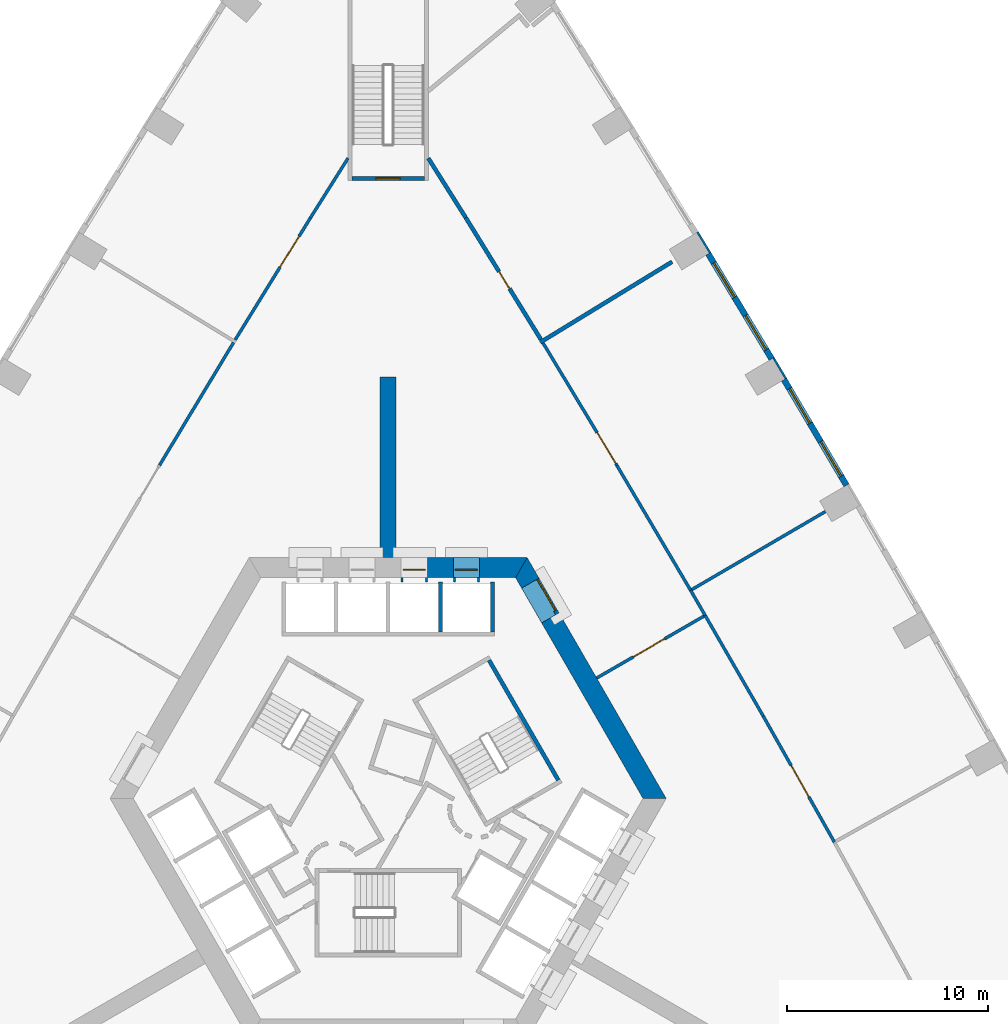
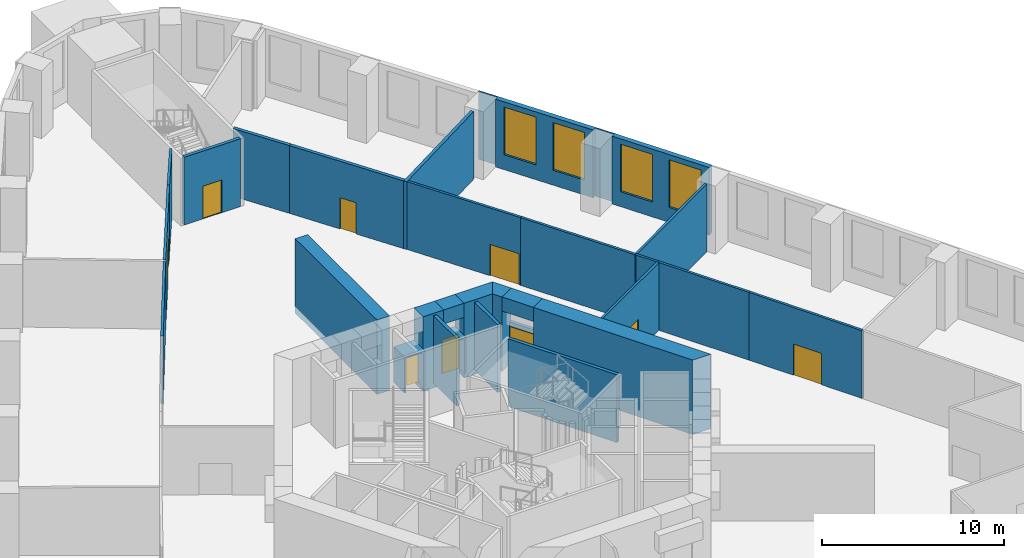
# One storey, part 6 of 16: 31 walls, 9 doors, 4 windows, 13 openings.
"""IFC4 building model written with IfcOpenShell, lengths in metres."""

from ifc_helpers import new_model, si_unit, direction, frame, frame_2d, origin, place, context, subcontext, project, spatial, polyline, rectangle, outline, extrude, material, layer, layer_set, type_object, element, fill, save


model = new_model("IFC4")

# Units and contexts
model_context = context("Model", 3, precision=1e-05, world=origin(), true_north=direction((0.0, 1.0)))
body_context = subcontext(model_context, "Body", "Model", "MODEL_VIEW")
ifc_project = project(units=[si_unit("LENGTHUNIT", "METRE"), si_unit("AREAUNIT", "SQUARE_METRE"), si_unit("VOLUMEUNIT", "CUBIC_METRE"), si_unit("PLANEANGLEUNIT", "RADIAN"), si_unit("MASSUNIT", "GRAM", prefix="KILO")], contexts=[model_context])

# Site, building, storey
site_placement = place(None, origin())
site = spatial("IfcSite", under=ifc_project, at=site_placement, CompositionType="ELEMENT")
building_placement = place(site_placement, origin())
building = spatial("IfcBuilding", under=site, at=building_placement, Name="Entoto Arch Interchange Tower", CompositionType="ELEMENT")
storey_placement = place(building_placement, frame((0.0, 0.0, 15.0)))
storey = spatial("IfcBuildingStorey", under=building, at=storey_placement, Name="L02", CompositionType="ELEMENT", Elevation=15.0)

# Wall
ifc_material_1 = material(Name="Concrete C60/75", Category="concrete")
ifc_layer_1 = layer(ifc_material_1, 0.800048828125)
ifc_layer_set_1 = layer_set([ifc_layer_1], Name="Concrete C60/75")
wall_type_1 = type_object("IfcWallType", Name="Buttress wall 800 C60/75", PredefinedType="SHEAR", material=ifc_layer_set_1)
wall_1_placement = place(storey_placement, frame((0.0, 14.5, -0.449951171875), z_axis=(0.0, 0.0, 1.0), x_axis=(0.0, 1.0, 0.0)))
element("IfcWall", 1, at=wall_1_placement, inside=storey, type_object=wall_type_1, Name="Buttress wall N L02", PredefinedType="SHEAR", context=body_context, shape_type="SweptSolid", body=[
    extrude(rectangle(XDim=9.0, YDim=0.800048828125, at=frame_2d((4.5, 0.0))), origin(), (0.0, 0.0, 1.0), 5.0),
])

# Wall, opening, door
ifc_material_2 = material(Name="Reinforced concrete C40/50", Category="concrete")
ifc_layer_2 = layer(ifc_material_2, 0.199951171875)
ifc_layer_set_2 = layer_set([ifc_layer_2], Name="Reinforced concrete C40/50")
wall_type_2 = type_object("IfcWallType", Name="CORE GAP INFILL WALL", PredefinedType="PARTITIONING", material=ifc_layer_set_2)
wall_2_placement = place(storey_placement, frame((8.429931640625, 11.697998046875, 0.0), z_axis=(0.0, 0.0, 1.0), x_axis=(-0.50002537861, 0.866010750942, 0.0)))
wall_2 = element("IfcWall", 2, at=wall_2_placement, inside=storey, type_object=wall_type_2, Name="wall:L02:gap2", PredefinedType="PARTITIONING", context=body_context, shape_type="SweptSolid", body=[
    extrude(rectangle(XDim=2.0, YDim=0.199951171875, at=frame_2d((1.0, 0.0))), origin(), (0.0, 0.0, 1.0), 2.39990234375),
])
opening_1_placement = place(wall_2_placement, frame((0.18994140625, 0.0, 0.0)))
opening_1 = element("IfcOpeningElement", 3, at=opening_1_placement, cuts=wall_2, Name="Opening L02-D92", PredefinedType="OPENING", context=body_context, shape_type="SweptSolid", body=[
    extrude(rectangle(XDim=1.800048828125, YDim=2.10009765625, at=frame_2d((0.89990234375, 1.050048828125))), frame((0.0, 0.10986328125, 0.0), z_axis=(0.0, -1.0, 0.0), x_axis=(1.0, 0.0, 0.0)), (0.0, 0.0, 1.0), 0.219970703125),
])
ifc_material_3 = material(Name="Fire-rated Steel S235 door and frame", Category="steel")
door_type_1 = type_object("IfcDoorType", Name="DOOR FD-18 1800x2100", OperationType="DOUBLE_DOOR_SINGLE_SWING", PredefinedType="DOOR", material=ifc_material_3)
door_1_placement = place(opening_1_placement, origin())
door_1 = element("IfcDoor", 4, at=door_1_placement, inside=storey, type_object=door_type_1, Name="door:L02:gap2", OperationType="DOUBLE_DOOR_SINGLE_SWING", OverallHeight=2.10009765625, OverallWidth=1.800048828125, PredefinedType="DOOR", context=body_context, shape_type="SweptSolid", body=[
    extrude(rectangle(XDim=1.800048828125, YDim=2.10009765625, at=frame_2d((0.89990234375, 1.050048828125))), frame((0.0, 0.02490234375, 0.0), z_axis=(0.0, -1.0, 0.0), x_axis=(1.0, 0.0, 0.0)), (0.0, 0.0, 1.0), 0.050048828125),
])
fill(opening_1, door_1)

# Walls
ifc_layer_3 = layer(ifc_material_1, 1.0)
ifc_layer_set_3 = layer_set([ifc_layer_3], Name="Concrete C60/75")
wall_type_3 = type_object("IfcWallType", Name="Core wall 1000 C60/75", PredefinedType="SHEAR", material=ifc_layer_set_3)
wall_3_placement = place(storey_placement, frame((0.0, 0.0, -0.449951171875)))
element("IfcWall", 5, at=wall_3_placement, inside=storey, type_object=wall_type_3, Name="Core wall NE L02", PredefinedType="SHEAR", context=body_context, shape_type="SweptSolid", body=[
    extrude(outline(polyline([(8.51708984375, 11.748046875), (7.65087890625, 11.248046875), (12.701904296875, 2.5), (13.85595703125, 2.5), (8.51708984375, 11.748046875)])), origin(), (0.0, 0.0, 1.0), 5.0),
])
wall_4_placement = place(storey_placement, frame((0.0, 0.0, -0.449951171875)))
element("IfcWall", 6, at=wall_4_placement, inside=storey, type_object=wall_type_3, Name="Core wall NE L02", PredefinedType="SHEAR", context=body_context, shape_type="SweptSolid", body=[
    extrude(outline(polyline([(6.65087890625, 12.97998046875), (7.51708984375, 13.47998046875), (6.927978515625, 14.5), (6.35107421875, 13.5), (6.65087890625, 12.97998046875)])), origin(), (0.0, 0.0, 1.0), 5.0),
])
wall_5_placement = place(storey_placement, frame((0.0, 0.0, 3.60009765625)))
element("IfcWall", 7, at=wall_5_placement, inside=storey, type_object=wall_type_3, Name="Core wall lintel NE L02", PredefinedType="SHEAR", context=body_context, shape_type="SweptSolid", body=[
    extrude(outline(polyline([(7.51708984375, 13.47998046875), (6.65087890625, 12.97998046875), (7.65087890625, 11.248046875), (8.51708984375, 11.748046875), (7.51708984375, 13.47998046875)])), origin(), (0.0, 0.0, 1.0), 0.949951171875),
])
wall_6_placement = place(storey_placement, frame((0.0, 0.0, -0.449951171875)))
element("IfcWall", 8, at=wall_6_placement, inside=storey, type_object=wall_type_3, Name="Core wall N L02", PredefinedType="SHEAR", context=body_context, shape_type="SweptSolid", body=[
    extrude(outline(polyline([(4.550048828125, 14.5), (4.550048828125, 13.5), (6.35107421875, 13.5), (6.927978515625, 14.5), (4.550048828125, 14.5)])), origin(), (0.0, 0.0, 1.0), 5.0),
])
wall_7_placement = place(storey_placement, frame((0.0, 0.0, -0.449951171875)))
element("IfcWall", 9, at=wall_7_placement, inside=storey, type_object=wall_type_3, Name="Core wall N L02", PredefinedType="SHEAR", context=body_context, shape_type="SweptSolid", body=[
    extrude(outline(polyline([(1.949951171875, 14.5), (1.949951171875, 13.5), (3.25, 13.5), (3.25, 14.5), (1.949951171875, 14.5)])), origin(), (0.0, 0.0, 1.0), 5.0),
])
wall_8_placement = place(storey_placement, frame((0.0, 0.0, 3.60009765625)))
element("IfcWall", 10, at=wall_8_placement, inside=storey, type_object=wall_type_3, Name="Core wall lintel N L02", PredefinedType="SHEAR", context=body_context, shape_type="SweptSolid", body=[
    extrude(outline(polyline([(3.25, 14.5), (3.25, 13.5), (4.550048828125, 13.5), (4.550048828125, 14.5), (3.25, 14.5)])), origin(), (0.0, 0.0, 1.0), 0.949951171875),
])

# Wall, opening, door
ifc_material_4 = material(Name="Concrete C40/50", Category="concrete")
ifc_layer_4 = layer(ifc_material_4, 1.199951171875)
ifc_layer_set_4 = layer_set([ifc_layer_4], Name="Concrete C40/50")
wall_type_4 = type_object("IfcWallType", Name="LIFT LANDING INFILL WALL", PredefinedType="STANDARD", material=ifc_layer_set_4)
wall_9_placement = place(storey_placement, frame((4.550048828125, 13.89990234375, 0.0), z_axis=(0.0, 0.0, 1.0), x_axis=(-1.0, 0.0, 0.0)))
wall_9 = element("IfcWall", 11, at=wall_9_placement, inside=storey, type_object=wall_type_4, Name="Lift landing infill wall LR1 L02", PredefinedType="STANDARD", context=body_context, shape_type="SweptSolid", body=[
    extrude(rectangle(XDim=1.300048828125, YDim=1.199951171875, at=frame_2d((0.64990234375, 0.0))), origin(), (0.0, 0.0, 1.0), 2.39990234375),
])
opening_2_placement = place(wall_9_placement, frame((0.10009765625, 0.0, 0.0)))
opening_2 = element("IfcOpeningElement", 12, at=opening_2_placement, cuts=wall_9, Name="Opening LD-LR1-L02", PredefinedType="OPENING", context=body_context, shape_type="SweptSolid", body=[
    extrude(rectangle(XDim=1.10009765625, YDim=2.300048828125, at=frame_2d((0.550048828125, 1.14990234375))), frame((0.0, 0.60986328125, 0.0), z_axis=(0.0, -1.0, 0.0), x_axis=(1.0, 0.0, 0.0)), (0.0, 0.0, 1.0), 1.219970703125),
])
ifc_material_5 = material(Name="Stainless steel 1.4301 panels", Category="steel")
door_type_2 = type_object("IfcDoorType", Name="LIFT LANDING DOOR LD2 1100x2300", OperationType="SLIDING_TO_LEFT", PredefinedType="DOOR", material=ifc_material_5)
door_2_placement = place(opening_2_placement, origin())
door_2 = element("IfcDoor", 13, at=door_2_placement, inside=storey, type_object=door_type_2, Name="Lift landing door LR1 L02", OperationType="SLIDING_TO_LEFT", OverallHeight=2.300048828125, OverallWidth=1.10009765625, PredefinedType="DOOR", context=body_context, shape_type="SweptSolid", body=[
    extrude(rectangle(XDim=1.10009765625, YDim=2.300048828125, at=frame_2d((0.550048828125, 1.14990234375))), frame((0.0, 0.02490234375, 0.0), z_axis=(0.0, -1.0, 0.0), x_axis=(1.0, 0.0, 0.0)), (0.0, 0.0, 1.0), 0.050048828125),
])
fill(opening_2, door_2)

wall_10_placement = place(storey_placement, frame((1.949951171875, 13.89990234375, 0.0), z_axis=(0.0, 0.0, 1.0), x_axis=(-1.0, 0.0, 0.0)))
wall_10 = element("IfcWall", 14, at=wall_10_placement, inside=storey, type_object=wall_type_4, Name="Lift landing infill wall LR2 L02", PredefinedType="STANDARD", context=body_context, shape_type="SweptSolid", body=[
    extrude(rectangle(XDim=1.300048828125, YDim=1.199951171875, at=frame_2d((0.64990234375, 0.0))), origin(), (0.0, 0.0, 1.0), 2.39990234375),
])
opening_3_placement = place(wall_10_placement, frame((0.10009765625, 0.0, 0.0)))
opening_3 = element("IfcOpeningElement", 15, at=opening_3_placement, cuts=wall_10, Name="Opening LD-LR2-L02", PredefinedType="OPENING", context=body_context, shape_type="SweptSolid", body=[
    extrude(rectangle(XDim=1.10009765625, YDim=2.300048828125, at=frame_2d((0.550048828125, 1.14990234375))), frame((0.0, 0.60986328125, 0.0), z_axis=(0.0, -1.0, 0.0), x_axis=(1.0, 0.0, 0.0)), (0.0, 0.0, 1.0), 1.219970703125),
])
door_3_placement = place(opening_3_placement, origin())
door_3 = element("IfcDoor", 16, at=door_3_placement, inside=storey, type_object=door_type_2, Name="Lift landing door LR2 L02", OperationType="SLIDING_TO_LEFT", OverallHeight=2.300048828125, OverallWidth=1.10009765625, PredefinedType="DOOR", context=body_context, shape_type="SweptSolid", body=[
    extrude(rectangle(XDim=1.10009765625, YDim=2.300048828125, at=frame_2d((0.550048828125, 1.14990234375))), frame((0.0, 0.02490234375, 0.0), z_axis=(0.0, -1.0, 0.0), x_axis=(1.0, 0.0, 0.0)), (0.0, 0.0, 1.0), 0.050048828125),
])
fill(opening_3, door_3)

# Walls
ifc_layer_5 = layer(ifc_material_4, 0.199951171875)
ifc_layer_set_5 = layer_set([ifc_layer_5], Name="Concrete C40/50")
wall_type_5 = type_object("IfcWallType", Name="LIFT SHAFT WALL 200", PredefinedType="STANDARD", material=ifc_layer_set_5)
for number, where, z_axis, x_axis, name in (
    (17, (5.199951171875, 10.800048828125, 0.0), (0.0, 0.0, 1.0), (0.0, 1.0, 0.0), "Shaft wall N3 cross 1"),
    (18, (2.60009765625, 10.800048828125, 0.0), (0.0, 0.0, 1.0), (0.0, 1.0, 0.0), "Shaft wall N3 cross 2"),
):
    element("IfcWall", number, at=place(storey_placement, frame(where, z_axis=z_axis, x_axis=x_axis)), inside=storey, type_object=wall_type_5, Name=name, PredefinedType="STANDARD", context=body_context, shape_type="SweptSolid", body=[
        extrude(rectangle(XDim=2.5, YDim=0.199951171875, at=frame_2d((1.25, 0.0))), origin(), (0.0, 0.0, 1.0), 4.550048828125),
    ])
ifc_material_6 = material(Name="Gypsum board partition on steel studs", Category="steel")
ifc_layer_6 = layer(ifc_material_6, 0.14990234375)
ifc_layer_set_6 = layer_set([ifc_layer_6], Name="Gypsum board partition on steel studs")
wall_type_6 = type_object("IfcWallType", Name="PARTITION 150", PredefinedType="PARTITIONING", material=ifc_layer_set_6)
wall_11_placement = place(storey_placement, frame((15.009033203125, 12.8359375, 0.0), z_axis=(0.0, 0.0, 1.0), x_axis=(0.863477776245, 0.50438688517, 0.0)))
element("IfcWall", 19, at=wall_11_placement, inside=storey, type_object=wall_type_6, Name="wall:L02:p050", PredefinedType="PARTITIONING", context=body_context, shape_type="SweptSolid", body=[
    extrude(rectangle(XDim=7.85546875, YDim=0.14990234375, at=frame_2d((3.927734375, 0.0))), origin(), (0.0, 0.0, 1.0), 4.550048828125),
])
wall_12_placement = place(storey_placement, frame((15.798095703125, 11.62109375, 0.0), z_axis=(0.0, 0.0, 1.0), x_axis=(-0.500384402157, 0.865803355317, 0.0)))
element("IfcWall", 20, at=wall_12_placement, inside=storey, type_object=wall_type_6, Name="wall:L02:p051", PredefinedType="PARTITIONING", context=body_context, shape_type="SweptSolid", body=[
    extrude(rectangle(XDim=1.447021484375, YDim=0.14990234375, at=frame_2d((0.7236328125, 0.0))), origin(), (0.0, 0.0, 1.0), 4.550048828125),
])
wall_13_placement = place(storey_placement, frame((18.68701171875, 6.615966796875, 0.0), z_axis=(0.0, 0.0, 1.0), x_axis=(-0.499896772539, 0.866084993985, 0.0)))
element("IfcWall", 21, at=wall_13_placement, inside=storey, type_object=wall_type_6, Name="wall:L02:p052", PredefinedType="PARTITIONING", context=body_context, shape_type="SweptSolid", body=[
    extrude(rectangle(XDim=5.779052734375, YDim=0.14990234375, at=frame_2d((2.8896484375, 0.0))), origin(), (0.0, 0.0, 1.0), 4.550048828125),
])

# Wall, opening, door
wall_14_placement = place(storey_placement, frame((22.239013671875, 0.323974609375, 0.0), z_axis=(0.0, 0.0, 1.0), x_axis=(-0.491601807152, 0.870820109555, 0.0)))
wall_14 = element("IfcWall", 22, at=wall_14_placement, inside=storey, type_object=wall_type_6, Name="wall:L02:p053", PredefinedType="PARTITIONING", context=body_context, shape_type="SweptSolid", body=[
    extrude(rectangle(XDim=7.225341796875, YDim=0.14990234375, at=frame_2d((3.61279296875, 0.0))), origin(), (0.0, 0.0, 1.0), 4.550048828125),
])
opening_4_placement = place(wall_14_placement, frame((2.580078125, 0.0, 0.0)))
opening_4 = element("IfcOpeningElement", 23, at=opening_4_placement, cuts=wall_14, Name="Opening L02-D06", PredefinedType="OPENING", context=body_context, shape_type="SweptSolid", body=[
    extrude(rectangle(XDim=1.800048828125, YDim=2.10009765625, at=frame_2d((0.89990234375, 1.050048828125))), frame((0.0, 0.0849609375, 0.0), z_axis=(0.0, -1.0, 0.0), x_axis=(1.0, 0.0, 0.0)), (0.0, 0.0, 1.0), 0.169921875),
])
ifc_material_7 = material(Name="Timber door leaf in Steel S235 frame", Category="steel")
door_type_3 = type_object("IfcDoorType", Name="DOOR DD-18 1800x2100", OperationType="DOUBLE_DOOR_SINGLE_SWING", PredefinedType="DOOR", material=ifc_material_7)
door_4_placement = place(opening_4_placement, origin())
door_4 = element("IfcDoor", 24, at=door_4_placement, inside=storey, type_object=door_type_3, Name="door:L02:06", OperationType="DOUBLE_DOOR_SINGLE_SWING", OverallHeight=2.10009765625, OverallWidth=1.800048828125, PredefinedType="DOOR", context=body_context, shape_type="SweptSolid", body=[
    extrude(rectangle(XDim=1.800048828125, YDim=2.10009765625, at=frame_2d((0.89990234375, 1.050048828125))), frame((0.0, 0.02490234375, 0.0), z_axis=(0.0, -1.0, 0.0), x_axis=(1.0, 0.0, 0.0)), (0.0, 0.0, 1.0), 0.050048828125),
])
fill(opening_4, door_4)

# Wall
wall_15_placement = place(storey_placement, frame((15.072998046875, 12.875, 0.0), z_axis=(0.0, 0.0, 1.0), x_axis=(-0.508419849244, 0.861109317621, 0.0)))
element("IfcWall", 25, at=wall_15_placement, inside=storey, type_object=wall_type_6, Name="wall:L02:p055", PredefinedType="PARTITIONING", context=body_context, shape_type="SweptSolid", body=[
    extrude(rectangle(XDim=7.230224609375, YDim=0.14990234375, at=frame_2d((3.615234375, 0.0))), origin(), (0.0, 0.0, 1.0), 4.550048828125),
])

# Wall, opening, door
wall_16_placement = place(storey_placement, frame((11.39697265625, 19.10107421875, 0.0), z_axis=(0.0, 0.0, 1.0), x_axis=(-0.516501552057, 0.856286252793, 0.0)))
wall_16 = element("IfcWall", 26, at=wall_16_placement, inside=storey, type_object=wall_type_6, Name="wall:L02:p056", PredefinedType="PARTITIONING", context=body_context, shape_type="SweptSolid", body=[
    extrude(rectangle(XDim=7.119140625, YDim=0.14990234375, at=frame_2d((3.5595703125, 0.0))), origin(), (0.0, 0.0, 1.0), 4.550048828125),
])
opening_5_placement = place(wall_16_placement, frame((0.10009765625, 0.0, 0.0)))
opening_5 = element("IfcOpeningElement", 27, at=opening_5_placement, cuts=wall_16, Name="Opening L02-D07", PredefinedType="OPENING", context=body_context, shape_type="SweptSolid", body=[
    extrude(rectangle(XDim=1.800048828125, YDim=2.10009765625, at=frame_2d((0.89990234375, 1.050048828125))), frame((0.0, 0.0849609375, 0.0), z_axis=(0.0, -1.0, 0.0), x_axis=(1.0, 0.0, 0.0)), (0.0, 0.0, 1.0), 0.169921875),
])
door_5_placement = place(opening_5_placement, origin())
door_5 = element("IfcDoor", 28, at=door_5_placement, inside=storey, type_object=door_type_3, Name="door:L02:07", OperationType="DOUBLE_DOOR_SINGLE_SWING", OverallHeight=2.10009765625, OverallWidth=1.800048828125, PredefinedType="DOOR", context=body_context, shape_type="SweptSolid", body=[
    extrude(rectangle(XDim=1.800048828125, YDim=2.10009765625, at=frame_2d((0.89990234375, 1.050048828125))), frame((0.0, 0.02490234375, 0.0), z_axis=(0.0, -1.0, 0.0), x_axis=(1.0, 0.0, 0.0)), (0.0, 0.0, 1.0), 0.050048828125),
])
fill(opening_5, door_5)

# Wall
wall_17_placement = place(storey_placement, frame((-2.0, 34.407958984375, 0.0), z_axis=(0.0, 0.0, 1.0), x_axis=(-0.533177332948, -0.846003505684, 0.0)))
element("IfcWall", 29, at=wall_17_placement, inside=storey, type_object=wall_type_6, Name="wall:L02:p063", PredefinedType="PARTITIONING", context=body_context, shape_type="SweptSolid", body=[
    extrude(rectangle(XDim=3.50341796875, YDim=0.14990234375, at=frame_2d((1.751708984375, 0.0))), origin(), (0.0, 0.0, 1.0), 4.550048828125),
])

# Wall, opening, door
wall_18_placement = place(storey_placement, frame((-3.867919921875, 31.444091796875, 0.0), z_axis=(0.0, 0.0, 1.0), x_axis=(-0.525005307826, -0.851098952387, 0.0)))
wall_18 = element("IfcWall", 30, at=wall_18_placement, inside=storey, type_object=wall_type_6, Name="wall:L02:p064", PredefinedType="PARTITIONING", context=body_context, shape_type="SweptSolid", body=[
    extrude(rectangle(XDim=7.154296875, YDim=0.14990234375, at=frame_2d((3.5771484375, 0.0))), origin(), (0.0, 0.0, 1.0), 4.550048828125),
])
opening_6_placement = place(wall_18_placement, frame((1.095947265625, 0.0, 0.0)))
opening_6 = element("IfcOpeningElement", 31, at=opening_6_placement, cuts=wall_18, Name="Opening L02-D09", PredefinedType="OPENING", context=body_context, shape_type="SweptSolid", body=[
    extrude(rectangle(XDim=1.800048828125, YDim=2.10009765625, at=frame_2d((0.89990234375, 1.050048828125))), frame((0.0, 0.0849609375, 0.0), z_axis=(0.0, -1.0, 0.0), x_axis=(1.0, 0.0, 0.0)), (0.0, 0.0, 1.0), 0.169921875),
])
door_6_placement = place(opening_6_placement, origin())
door_6 = element("IfcDoor", 32, at=door_6_placement, inside=storey, type_object=door_type_3, Name="door:L02:09", OperationType="DOUBLE_DOOR_SINGLE_SWING", OverallHeight=2.10009765625, OverallWidth=1.800048828125, PredefinedType="DOOR", context=body_context, shape_type="SweptSolid", body=[
    extrude(rectangle(XDim=1.800048828125, YDim=2.10009765625, at=frame_2d((0.89990234375, 1.050048828125))), frame((0.0, 0.02490234375, 0.0), z_axis=(0.0, -1.0, 0.0), x_axis=(1.0, 0.0, 0.0)), (0.0, 0.0, 1.0), 0.050048828125),
])
fill(opening_6, door_6)

# Wall
wall_19_placement = place(storey_placement, frame((-7.70703125, 25.218994140625, 0.0), z_axis=(0.0, 0.0, 1.0), x_axis=(-0.516469307375, -0.856305701569, 0.0)))
element("IfcWall", 33, at=wall_19_placement, inside=storey, type_object=wall_type_6, Name="wall:L02:p066", PredefinedType="PARTITIONING", context=body_context, shape_type="SweptSolid", body=[
    extrude(rectangle(XDim=7.14453125, YDim=0.14990234375, at=frame_2d((3.572265625, 0.0))), origin(), (0.0, 0.0, 1.0), 4.550048828125),
])

# Wall, opening, door
wall_20_placement = place(storey_placement, frame((15.863037109375, 11.657958984375, 0.0), z_axis=(0.0, 0.0, 1.0), x_axis=(-0.866072964545, -0.499917613297, 0.0)))
wall_20 = element("IfcWall", 34, at=wall_20_placement, inside=storey, type_object=wall_type_6, Name="wall:L02:p079", PredefinedType="PARTITIONING", context=body_context, shape_type="SweptSolid", body=[
    extrude(rectangle(XDim=6.31689453125, YDim=0.14990234375, at=frame_2d((3.158447265625, 0.0))), origin(), (0.0, 0.0, 1.0), 4.550048828125),
])
opening_7_placement = place(wall_20_placement, frame((2.404052734375, 0.0, 0.0)))
opening_7 = element("IfcOpeningElement", 35, at=opening_7_placement, cuts=wall_20, Name="Opening L02-D02", PredefinedType="OPENING", context=body_context, shape_type="SweptSolid", body=[
    extrude(rectangle(XDim=1.800048828125, YDim=2.10009765625, at=frame_2d((0.89990234375, 1.050048828125))), frame((0.0, 0.0849609375, 0.0), z_axis=(0.0, -1.0, 0.0), x_axis=(1.0, 0.0, 0.0)), (0.0, 0.0, 1.0), 0.169921875),
])
door_7_placement = place(opening_7_placement, origin())
door_7 = element("IfcDoor", 36, at=door_7_placement, inside=storey, type_object=door_type_1, Name="door:L02:02", OperationType="DOUBLE_DOOR_SINGLE_SWING", OverallHeight=2.10009765625, OverallWidth=1.800048828125, PredefinedType="DOOR", context=body_context, shape_type="SweptSolid", body=[
    extrude(rectangle(XDim=1.800048828125, YDim=2.10009765625, at=frame_2d((0.89990234375, 1.050048828125))), frame((0.0, 0.02490234375, 0.0), z_axis=(0.0, -1.0, 0.0), x_axis=(1.0, 0.0, 0.0)), (0.0, 0.0, 1.0), 0.050048828125),
])
fill(opening_7, door_7)

# Walls
ifc_layer_7 = layer(ifc_material_6, 0.199951171875)
ifc_layer_set_7 = layer_set([ifc_layer_7], Name="Gypsum board partition on steel studs")
wall_type_7 = type_object("IfcWallType", Name="PARTITION 200", PredefinedType="PARTITIONING", material=ifc_layer_set_7)
wall_21_placement = place(storey_placement, frame((7.5830078125, 25.23095703125, 0.0), z_axis=(0.0, 0.0, 1.0), x_axis=(0.853185410435, 0.521607760124, 0.0)))
element("IfcWall", 37, at=wall_21_placement, inside=storey, type_object=wall_type_7, Name="wall:L02:p054", PredefinedType="PARTITIONING", context=body_context, shape_type="SweptSolid", body=[
    extrude(rectangle(XDim=7.699462890625, YDim=0.199951171875, at=frame_2d((3.849609375, 0.0))), origin(), (0.0, 0.0, 1.0), 4.550048828125),
])
wall_22_placement = place(storey_placement, frame((3.867919921875, 31.444091796875, 0.0), z_axis=(0.0, 0.0, 1.0), x_axis=(-0.533177332948, 0.846003505684, 0.0)))
element("IfcWall", 38, at=wall_22_placement, inside=storey, type_object=wall_type_7, Name="wall:L02:p060", PredefinedType="PARTITIONING", context=body_context, shape_type="SweptSolid", body=[
    extrude(rectangle(XDim=3.50341796875, YDim=0.199951171875, at=frame_2d((1.751708984375, 0.0))), origin(), (0.0, 0.0, 1.0), 4.550048828125),
])

# Wall, opening, door
wall_23_placement = place(storey_placement, frame((7.611083984375, 25.3759765625, 0.0), z_axis=(0.0, 0.0, 1.0), x_axis=(-0.525006538042, 0.85109819352, 0.0)))
wall_23 = element("IfcWall", 39, at=wall_23_placement, inside=storey, type_object=wall_type_7, Name="wall:L02:p061", PredefinedType="PARTITIONING", context=body_context, shape_type="SweptSolid", body=[
    extrude(rectangle(XDim=7.129638671875, YDim=0.199951171875, at=frame_2d((3.56494140625, 0.0))), origin(), (0.0, 0.0, 1.0), 4.550048828125),
])
opening_8_placement = place(wall_23_placement, frame((2.969970703125, 0.0, 0.0)))
opening_8 = element("IfcOpeningElement", 40, at=opening_8_placement, cuts=wall_23, Name="Opening L02-D08", PredefinedType="OPENING", context=body_context, shape_type="SweptSolid", body=[
    extrude(rectangle(XDim=1.0, YDim=2.10009765625, at=frame_2d((0.5, 1.050048828125))), frame((0.0, 0.10986328125, 0.0), z_axis=(0.0, -1.0, 0.0), x_axis=(1.0, 0.0, 0.0)), (0.0, 0.0, 1.0), 0.219970703125),
])
door_type_4 = type_object("IfcDoorType", Name="DOOR DS-10 1000x2100", OperationType="SINGLE_SWING_LEFT", PredefinedType="DOOR", material=ifc_material_7)
door_8_placement = place(opening_8_placement, origin())
door_8 = element("IfcDoor", 41, at=door_8_placement, inside=storey, type_object=door_type_4, Name="door:L02:08", OperationType="SINGLE_SWING_LEFT", OverallHeight=2.10009765625, OverallWidth=1.0, PredefinedType="DOOR", context=body_context, shape_type="SweptSolid", body=[
    extrude(rectangle(XDim=1.0, YDim=2.10009765625, at=frame_2d((0.5, 1.050048828125))), frame((0.0, 0.02490234375, 0.0), z_axis=(0.0, -1.0, 0.0), x_axis=(1.0, 0.0, 0.0)), (0.0, 0.0, 1.0), 0.050048828125),
])
fill(opening_8, door_8)

# Wall
ifc_layer_8 = layer(ifc_material_4, 0.199951171875)
ifc_layer_set_8 = layer_set([ifc_layer_8], Name="Concrete C40/50")
wall_type_8 = type_object("IfcWallType", Name="STAIR ENCLOSURE WALL 200", PredefinedType="STANDARD", material=ifc_layer_set_8)
wall_24_placement = place(storey_placement, frame((8.47998046875, 3.412109375, 0.0), z_axis=(0.0, 0.0, 1.0), x_axis=(-0.499978703459, 0.866037698999, 0.0)))
element("IfcWall", 42, at=wall_24_placement, inside=storey, type_object=wall_type_8, Name="Stair wall ST-NE back", PredefinedType="STANDARD", context=body_context, shape_type="SweptSolid", body=[
    extrude(rectangle(XDim=6.900146484375, YDim=0.199951171875, at=frame_2d((3.4501953125, 0.0))), origin(), (0.0, 0.0, 1.0), 4.550048828125),
])

# Wall, opening, door
wall_25_placement = place(storey_placement, frame((1.800048828125, 33.39990234375, 0.0), z_axis=(0.0, 0.0, 1.0), x_axis=(-1.0, 0.0, 0.0)))
wall_25 = element("IfcWall", 43, at=wall_25_placement, inside=storey, type_object=wall_type_8, Name="Stair wall PST-N near", PredefinedType="STANDARD", context=body_context, shape_type="SweptSolid", body=[
    extrude(rectangle(XDim=3.60009765625, YDim=0.199951171875, at=frame_2d((1.800048828125, 0.0))), origin(), (0.0, 0.0, 1.0), 4.550048828125),
])
opening_9_placement = place(wall_25_placement, frame((1.199951171875, 0.0, 0.0)))
opening_9 = element("IfcOpeningElement", 44, at=opening_9_placement, cuts=wall_25, Name="Opening SD-PST-N-L02", PredefinedType="OPENING", context=body_context, shape_type="SweptSolid", body=[
    extrude(rectangle(XDim=1.199951171875, YDim=2.199951171875, at=frame_2d((0.60009765625, 1.10009765625))), frame((0.0, 0.10986328125, 0.0), z_axis=(0.0, -1.0, 0.0), x_axis=(1.0, 0.0, 0.0)), (0.0, 0.0, 1.0), 0.219970703125),
])
ifc_material_8 = material(Name="Steel S235", Category="steel")
door_type_5 = type_object("IfcDoorType", Name="STAIR DOOR SD2 1200x2200", OperationType="SINGLE_SWING_LEFT", PredefinedType="DOOR", material=ifc_material_8)
door_9_placement = place(opening_9_placement, origin())
door_9 = element("IfcDoor", 45, at=door_9_placement, inside=storey, type_object=door_type_5, Name="Stair door PST-N L02", OperationType="SINGLE_SWING_LEFT", OverallHeight=2.199951171875, OverallWidth=1.199951171875, PredefinedType="DOOR", context=body_context, shape_type="SweptSolid", body=[
    extrude(rectangle(XDim=1.199951171875, YDim=2.199951171875, at=frame_2d((0.60009765625, 1.10009765625))), frame((0.0, 0.02490234375, 0.0), z_axis=(0.0, -1.0, 0.0), x_axis=(1.0, 0.0, 0.0)), (0.0, 0.0, 1.0), 0.050048828125),
])
fill(opening_9, door_9)

# Wall, openings, windows
ifc_material_9 = material(Name="Welded tuff (ignimbrite) cladding, warm buff", Category="masonry")
ifc_layer_9 = layer(ifc_material_9, 0.300048828125)
ifc_layer_set_9 = layer_set([ifc_layer_9], Name="Welded tuff (ignimbrite) cladding, warm buff")
wall_type_9 = type_object("IfcWallType", Name="STONE INFILL WALL 300", PredefinedType="STANDARD", material=ifc_layer_set_9)
wall_26_placement = place(storey_placement, frame((22.843017578125, 18.10498046875, 0.0), z_axis=(0.0, 0.0, 1.0), x_axis=(-0.50834231483, 0.861155091115, 0.0)))
wall_26 = element("IfcWall", 46, at=wall_26_placement, inside=storey, type_object=wall_type_9, Name="Facade wall NE-06 L02", PredefinedType="STANDARD", context=body_context, shape_type="SweptSolid", body=[
    extrude(rectangle(XDim=6.1220703125, YDim=0.300048828125, at=frame_2d((3.06103515625, 0.0))), origin(), (0.0, 0.0, 1.0), 4.550048828125),
])
opening_10_placement = place(wall_26_placement, frame((0.530029296875, 0.0, 1.0)))
opening_10 = element("IfcOpeningElement", 47, at=opening_10_placement, cuts=wall_26, Name="Opening WP-E", PredefinedType="OPENING", context=body_context, shape_type="SweptSolid", body=[
    extrude(rectangle(XDim=2.0, YDim=3.199951171875, at=frame_2d((1.0, 1.60009765625))), frame((0.0, 0.16015625, 0.0), z_axis=(0.0, -1.0, 0.0), x_axis=(1.0, 0.0, 0.0)), (0.0, 0.0, 1.0), 0.320068359375),
])
opening_11_placement = place(wall_26_placement, frame((3.591064453125, 0.0, 1.0)))
opening_11 = element("IfcOpeningElement", 48, at=opening_11_placement, cuts=wall_26, Name="Opening WP-E", PredefinedType="OPENING", context=body_context, shape_type="SweptSolid", body=[
    extrude(rectangle(XDim=2.0, YDim=3.199951171875, at=frame_2d((1.0, 1.60009765625))), frame((0.0, 0.16015625, 0.0), z_axis=(0.0, -1.0, 0.0), x_axis=(1.0, 0.0, 0.0)), (0.0, 0.0, 1.0), 0.320068359375),
])
ifc_material_10 = material(Name="Clear glass, low-e double glazed", Category="glass")
window_type = type_object("IfcWindowType", Name="WINDOW WP-E 2000x3200", PartitioningType="DOUBLE_PANEL_VERTICAL", PredefinedType="WINDOW", material=ifc_material_10)
window_1_placement = place(opening_10_placement, origin())
window_1 = element("IfcWindow", 49, at=window_1_placement, inside=storey, type_object=window_type, Name="Window WP-E NE-06 L02", OverallHeight=3.199951171875, OverallWidth=2.0, PartitioningType="SINGLE_PANEL", PredefinedType="WINDOW", context=body_context, shape_type="SweptSolid", body=[
    extrude(rectangle(XDim=2.0, YDim=3.199951171875, at=frame_2d((1.0, 1.60009765625))), frame((0.0, 0.030029296875, 0.0), z_axis=(0.0, -1.0, 0.0), x_axis=(1.0, 0.0, 0.0)), (0.0, 0.0, 1.0), 0.06005859375),
])
fill(opening_10, window_1)
window_2_placement = place(opening_11_placement, origin())
window_2 = element("IfcWindow", 50, at=window_2_placement, inside=storey, type_object=window_type, Name="Window WP-E NE-06 L02", OverallHeight=3.199951171875, OverallWidth=2.0, PartitioningType="SINGLE_PANEL", PredefinedType="WINDOW", context=body_context, shape_type="SweptSolid", body=[
    extrude(rectangle(XDim=2.0, YDim=3.199951171875, at=frame_2d((1.0, 1.60009765625))), frame((0.0, 0.030029296875, 0.0), z_axis=(0.0, -1.0, 0.0), x_axis=(1.0, 0.0, 0.0)), (0.0, 0.0, 1.0), 0.06005859375),
])
fill(opening_11, window_2)

wall_27_placement = place(storey_placement, frame((19.116943359375, 24.406005859375, 0.0), z_axis=(0.0, 0.0, 1.0), x_axis=(-0.516687651362, 0.85617397235, 0.0)))
wall_27 = element("IfcWall", 51, at=wall_27_placement, inside=storey, type_object=wall_type_9, Name="Facade wall NE-07 L02", PredefinedType="STANDARD", context=body_context, shape_type="SweptSolid", body=[
    extrude(rectangle(XDim=6.121337890625, YDim=0.300048828125, at=frame_2d((3.060546875, 0.0))), origin(), (0.0, 0.0, 1.0), 4.550048828125),
])
opening_12_placement = place(wall_27_placement, frame((0.530029296875, 0.0, 1.0)))
opening_12 = element("IfcOpeningElement", 52, at=opening_12_placement, cuts=wall_27, Name="Opening WP-E", PredefinedType="OPENING", context=body_context, shape_type="SweptSolid", body=[
    extrude(rectangle(XDim=2.0, YDim=3.199951171875, at=frame_2d((1.0, 1.60009765625))), frame((0.0, 0.16015625, 0.0), z_axis=(0.0, -1.0, 0.0), x_axis=(1.0, 0.0, 0.0)), (0.0, 0.0, 1.0), 0.320068359375),
])
opening_13_placement = place(wall_27_placement, frame((3.591064453125, 0.0, 1.0)))
opening_13 = element("IfcOpeningElement", 53, at=opening_13_placement, cuts=wall_27, Name="Opening WP-E", PredefinedType="OPENING", context=body_context, shape_type="SweptSolid", body=[
    extrude(rectangle(XDim=2.0, YDim=3.199951171875, at=frame_2d((1.0, 1.60009765625))), frame((0.0, 0.16015625, 0.0), z_axis=(0.0, -1.0, 0.0), x_axis=(1.0, 0.0, 0.0)), (0.0, 0.0, 1.0), 0.320068359375),
])
window_3_placement = place(opening_12_placement, origin())
window_3 = element("IfcWindow", 54, at=window_3_placement, inside=storey, type_object=window_type, Name="Window WP-E NE-07 L02", OverallHeight=3.199951171875, OverallWidth=2.0, PartitioningType="SINGLE_PANEL", PredefinedType="WINDOW", context=body_context, shape_type="SweptSolid", body=[
    extrude(rectangle(XDim=2.0, YDim=3.199951171875, at=frame_2d((1.0, 1.60009765625))), frame((0.0, 0.030029296875, 0.0), z_axis=(0.0, -1.0, 0.0), x_axis=(1.0, 0.0, 0.0)), (0.0, 0.0, 1.0), 0.06005859375),
])
fill(opening_12, window_3)
window_4_placement = place(opening_13_placement, origin())
window_4 = element("IfcWindow", 55, at=window_4_placement, inside=storey, type_object=window_type, Name="Window WP-E NE-07 L02", OverallHeight=3.199951171875, OverallWidth=2.0, PartitioningType="SINGLE_PANEL", PredefinedType="WINDOW", context=body_context, shape_type="SweptSolid", body=[
    extrude(rectangle(XDim=2.0, YDim=3.199951171875, at=frame_2d((1.0, 1.60009765625))), frame((0.0, 0.030029296875, 0.0), z_axis=(0.0, -1.0, 0.0), x_axis=(1.0, 0.0, 0.0)), (0.0, 0.0, 1.0), 0.06005859375),
])
fill(opening_13, window_4)

# Walls
ifc_layer_10 = layer(ifc_material_9, 0.10009765625)
ifc_layer_set_10 = layer_set([ifc_layer_10], Name="Welded tuff (ignimbrite) cladding, warm buff")
wall_type_10 = type_object("IfcWallType", Name="STONE PIER CLADDING 100", PredefinedType="STANDARD", material=ifc_layer_set_10)
wall_28_placement = place(storey_placement, frame((19.820068359375, 23.428955078125, 0.0), z_axis=(0.0, 0.0, 1.0), x_axis=(-0.513238760752, 0.858245870635, 0.0)))
element("IfcWall", 56, at=wall_28_placement, inside=storey, type_object=wall_type_10, Name="Stone pier NE07 L02", PredefinedType="STANDARD", context=body_context, shape_type="SweptSolid", body=[
    extrude(rectangle(XDim=1.2001953125, YDim=0.10009765625, at=frame_2d((0.60009765625, 0.0))), origin(), (0.0, 0.0, 1.0), 4.550048828125),
])
wall_29_placement = place(storey_placement, frame((16.04296875, 29.699951171875, 0.0), z_axis=(0.0, 0.0, 1.0), x_axis=(-0.521507599072, 0.853246637327, 0.0)))
element("IfcWall", 57, at=wall_29_placement, inside=storey, type_object=wall_type_10, Name="Stone pier NE08 L02", PredefinedType="STANDARD", context=body_context, shape_type="SweptSolid", body=[
    extrude(rectangle(XDim=1.200439453125, YDim=0.10009765625, at=frame_2d((0.60009765625, 0.0))), origin(), (0.0, 0.0, 1.0), 4.550048828125),
])

save(model, "model.ifc")
